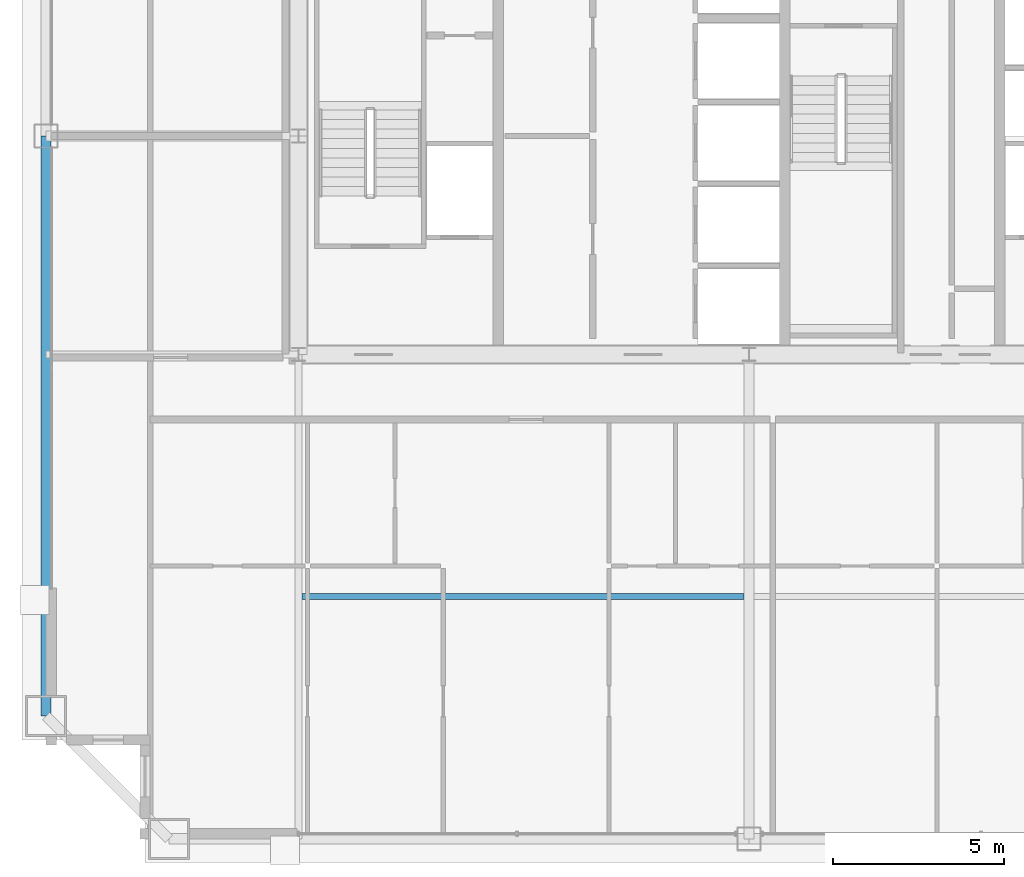
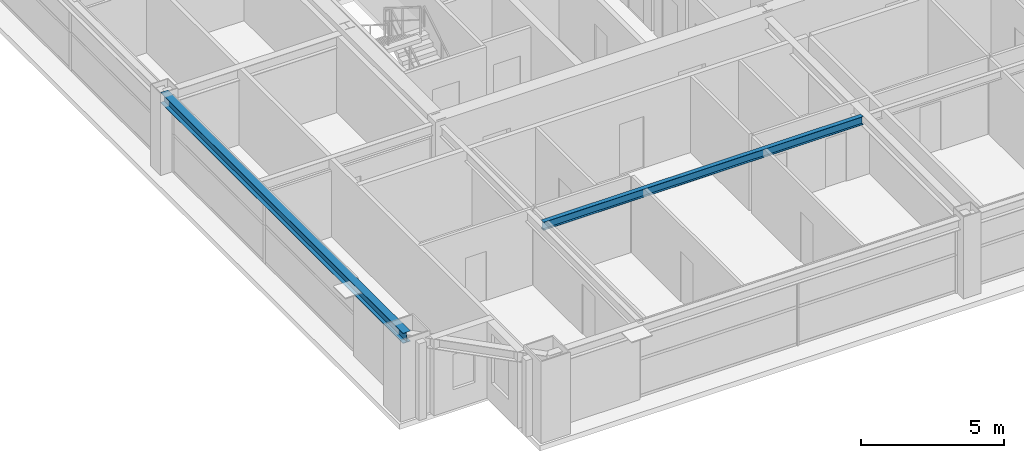
# One storey, part 6 of 36: 2 beams.
"""IFC4 building model written with IfcOpenShell, lengths in metres."""

from ifc_helpers import new_model, si_unit, direction, frame, origin, origin_2d, place, context, subcontext, project, spatial, i_section, extrude, source, transform, mapped, material, material_profile, profile_set, type_object, element, save


model = new_model("IFC4")

# Units and contexts
model_context = context("Model", 3, precision=1e-05, world=origin(), true_north=direction((0.0, 1.0)))
body_context = subcontext(model_context, "Body", "Model", "MODEL_VIEW")
ifc_project = project(units=[si_unit("LENGTHUNIT", "METRE"), si_unit("AREAUNIT", "SQUARE_METRE"), si_unit("VOLUMEUNIT", "CUBIC_METRE"), si_unit("PLANEANGLEUNIT", "RADIAN"), si_unit("MASSUNIT", "GRAM", prefix="KILO"), si_unit("THERMODYNAMICTEMPERATUREUNIT", "KELVIN"), si_unit("POWERUNIT", "WATT")], contexts=[model_context])

# Site, building, storey
site_placement = place(None, origin())
site = spatial("IfcSite", under=ifc_project, at=site_placement, CompositionType="ELEMENT")
building_placement = place(site_placement, origin())
building = spatial("IfcBuilding", under=site, at=building_placement, Name="Yuzanri Waterfront Tower", CompositionType="ELEMENT")
storey_placement = place(building_placement, frame((0.0, 0.0, 231.10009765625)))
storey = spatial("IfcBuildingStorey", under=building, at=storey_placement, Name="L61", CompositionType="ELEMENT", Elevation=231.10009765625)

# Beams
ifc_material_1 = material(Name="Steel Q355B", Category="steel")
ifc_material_profile_1 = material_profile(ifc_material_1, i_section(OverallWidth=0.300048828125, OverallDepth=0.43994140625, WebThickness=0.010986328125, FlangeThickness=0.01806640625, at=origin_2d()), Name="HM 440x300x11x18")
ifc_profile_set_1 = profile_set([ifc_material_profile_1], Name="Steel Q355B")
beam_type_1 = type_object("IfcBeamType", Name="Perimeter Spandrel Q355B HM 440x300", PredefinedType="SPANDREL", material=ifc_profile_set_1)
shared_shape_1 = source(origin(), body_context, "Body", "SweptSolid", [
    extrude(i_section(OverallWidth=0.300048828125, OverallDepth=0.43994140625, WebThickness=0.010986328125, FlangeThickness=0.01806640625, at=origin_2d()), origin(), (0.0, 0.0, 1.0), 17.0),
])
beam_1_placement = place(storey_placement, frame((16.39990234375, 25.800048828125, 3.059814453125), z_axis=(0.0, -1.0, 0.0), x_axis=(1.0, 0.0, 0.0)))
element("IfcBeam", 1, at=beam_1_placement, inside=storey, type_object=beam_type_1, Name="L61 Perimeter Spandrel W2-W1", PredefinedType="SPANDREL", context=body_context, shape_type="MappedRepresentation", body=[
    mapped(shared_shape_1, transform((0.0, 0.0, 0.0), scale=1.0)),
])
ifc_material_2 = material(Name="Steel Q355B", Category="steel")
ifc_material_profile_2 = material_profile(ifc_material_2, i_section(OverallWidth=0.175048828125, OverallDepth=0.35009765625, WebThickness=0.007080078125, FlangeThickness=0.010986328125, at=origin_2d()), Name="HN 350x175x7x11")
ifc_profile_set_2 = profile_set([ifc_material_profile_2], Name="Steel Q355B")
beam_type_2 = type_object("IfcBeamType", Name="Floor Joist Q355B HN 350x175", PredefinedType="JOIST", material=ifc_profile_set_2)
shared_shape_2 = source(origin(), body_context, "Body", "SweptSolid", [
    extrude(i_section(OverallWidth=0.175048828125, OverallDepth=0.35009765625, WebThickness=0.007080078125, FlangeThickness=0.010986328125, at=origin_2d()), origin(), (0.0, 0.0, 1.0), 12.9501953125),
])
beam_2_placement = place(storey_placement, frame((23.89990234375, 12.300048828125, 3.10498046875), z_axis=(1.0, 0.0, 0.0), x_axis=(0.0, 1.0, 0.0)))
element("IfcBeam", 2, at=beam_2_placement, inside=storey, type_object=beam_type_2, Name="L61 South Bay Joist W", PredefinedType="JOIST", context=body_context, shape_type="MappedRepresentation", body=[
    mapped(shared_shape_2, transform((0.0, 0.0, 0.0), scale=1.0)),
])

save(model, "model.ifc")
